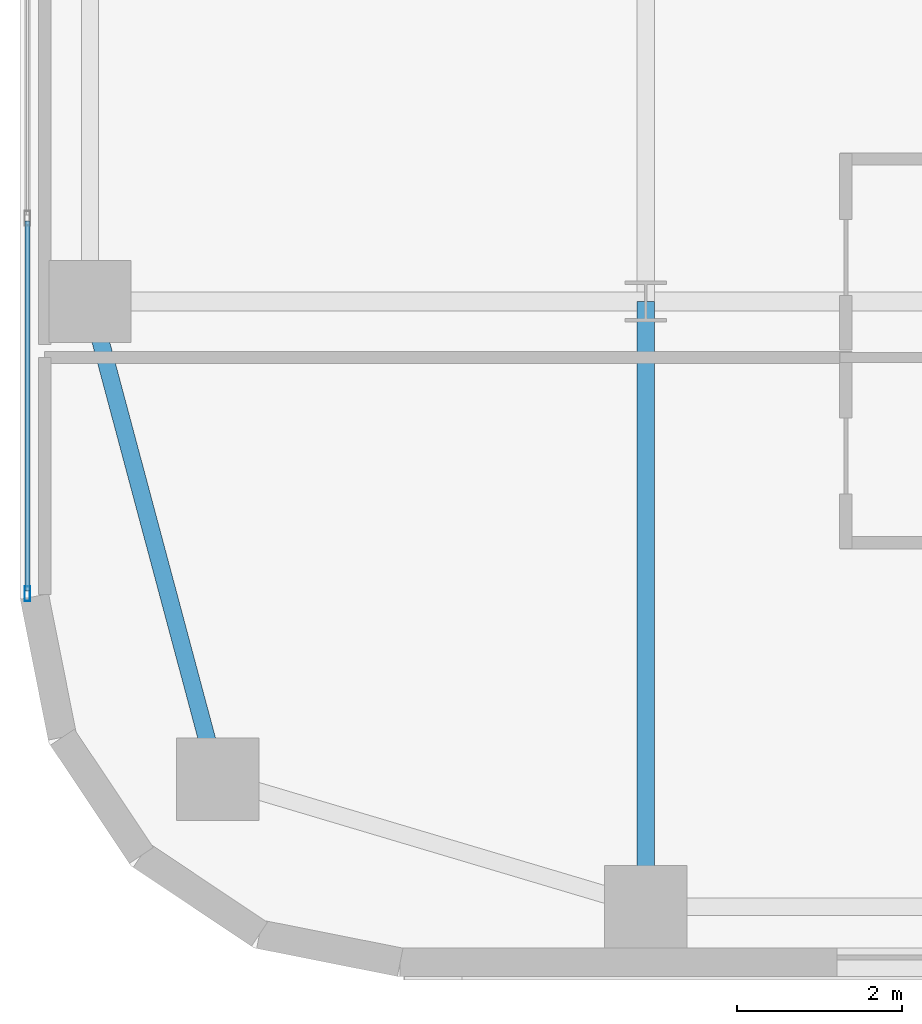
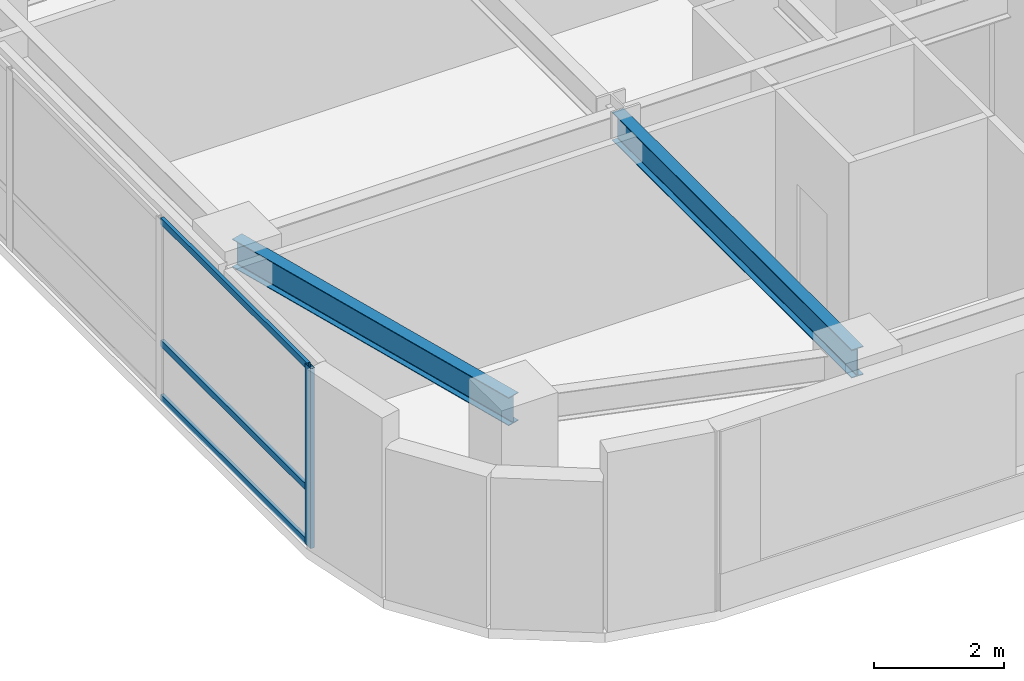
# One storey, part 2 of 37: 4 members, 2 beams, 1 element without a shape of its own.
"""IFC4 building model written with IfcOpenShell, lengths in metres."""

from ifc_helpers import new_model, si_unit, direction, frame, origin, origin_2d, place, context, subcontext, project, spatial, hollow_rectangle, i_section, extrude, source, transform, mapped, material, layer, layer_set, material_profile, profile_set, type_object, type_shapes, element, aggregate, save


model = new_model("IFC4")

# Units and contexts
model_context = context("Model", 3, precision=1e-05, world=origin(), true_north=direction((0.0, 1.0)))
body_context = subcontext(model_context, "Body", "Model", "MODEL_VIEW")
ifc_project = project(units=[si_unit("LENGTHUNIT", "METRE"), si_unit("AREAUNIT", "SQUARE_METRE"), si_unit("VOLUMEUNIT", "CUBIC_METRE"), si_unit("PLANEANGLEUNIT", "RADIAN"), si_unit("MASSUNIT", "GRAM", prefix="KILO")], contexts=[model_context])

# Site, building, storey
site_placement = place(None, origin())
site = spatial("IfcSite", under=ifc_project, at=site_placement, CompositionType="ELEMENT")
building_placement = place(site_placement, origin())
building = spatial("IfcBuilding", under=site, at=building_placement, Name="Tolvann Quenvar Hotel", CompositionType="ELEMENT")
storey_placement = place(building_placement, frame((0.0, 0.0, 53.300048828125)))
storey = spatial("IfcBuildingStorey", under=building, at=storey_placement, Name="L12", CompositionType="ELEMENT", Elevation=53.300048828125)

# Beams
ifc_material_1 = material(Name="Steel Grade 350", Category="steel")
ifc_material_profile_1 = material_profile(ifc_material_1, i_section(OverallWidth=0.208984375, OverallDepth=0.528076171875, WebThickness=0.009521484375, FlangeThickness=0.01318359375, FilletRadius=0.013916015625, at=origin_2d()), Name="530UB82")
ifc_profile_set_1 = profile_set([ifc_material_profile_1], Name="Steel Grade 350")
beam_type_1 = type_object("IfcBeamType", Name="BM_SPAND_530UB82", PredefinedType="SPANDREL", material=ifc_profile_set_1)
shared_shape_1 = source(origin(), body_context, "Body", "SweptSolid", [
    extrude(i_section(OverallWidth=0.208984375, OverallDepth=0.528076171875, WebThickness=0.009521484375, FlangeThickness=0.01318359375, FilletRadius=0.013916015625, at=origin_2d()), origin(), (0.0, 0.0, 1.0), 6.00341796875),
])
type_shapes(beam_type_1, [shared_shape_1])
beam_1_placement = place(storey_placement, frame((2.39990234375, 2.39990234375, 3.10595703125), z_axis=(-0.258148586649, 0.966105225745, 0.0), x_axis=(-0.966105225745, -0.258148586649, 0.0)))
element("IfcBeam", 1, at=beam_1_placement, inside=storey, type_object=beam_type_1, Name="BM-L12-NS-B2-B3", PredefinedType="SPANDREL", context=body_context, shape_type="MappedRepresentation", body=[
    mapped(shared_shape_1, transform((0.0, 0.0, 0.0), x_axis=(1.0, 0.0, 0.0), y_axis=(0.0, 1.0, 0.0), z_axis=(0.0, 0.0, 1.0), scale=1.0)),
])
ifc_material_profile_2 = material_profile(ifc_material_1, i_section(OverallWidth=0.208984375, OverallDepth=0.532958984375, WebThickness=0.01025390625, FlangeThickness=0.015625, FilletRadius=0.013916015625, at=origin_2d()), Name="530UB92")
ifc_profile_set_2 = profile_set([ifc_material_profile_2], Name="Steel Grade 350")
beam_type_2 = type_object("IfcBeamType", Name="BM_GIRD_530UB92", PredefinedType="BEAM", material=ifc_profile_set_2)
shared_shape_2 = source(origin(), body_context, "Body", "SweptSolid", [
    extrude(i_section(OverallWidth=0.208984375, OverallDepth=0.532958984375, WebThickness=0.01025390625, FlangeThickness=0.015625, FilletRadius=0.013916015625, at=origin_2d()), origin(), (0.0, 0.0, 1.0), 7.349853515625),
])
type_shapes(beam_type_2, [shared_shape_2])
beam_2_placement = place(storey_placement, frame((7.60009765625, 0.85009765625, 3.103515625), z_axis=(0.0, 1.0, 0.0), x_axis=(-1.0, 0.0, 0.0)))
element("IfcBeam", 2, at=beam_2_placement, inside=storey, type_object=beam_type_2, Name="BM-L12-NS-C2-C3", PredefinedType="BEAM", context=body_context, shape_type="MappedRepresentation", body=[
    mapped(shared_shape_2, transform((0.0, 0.0, 0.0), x_axis=(1.0, 0.0, 0.0), y_axis=(0.0, 1.0, 0.0), z_axis=(0.0, 0.0, 1.0), scale=1.0)),
])

# Curtain wall, members
ifc_material_2 = material(Name="Thermally broken anodised architectural aluminium 6063-T6 and laminated low-E glass", Category="aluminium")
ifc_layer = layer(ifc_material_2, 0.179931640625)
ifc_layer_set = layer_set([ifc_layer], Name="Thermally broken anodised architectural aluminium 6063-T6 and laminated low-E glass")
curtain_wall_type = type_object("IfcCurtainWallType", Name="CW_SYS_BAND_04", PredefinedType="USERDEFINED", material=ifc_layer_set)
curtain_wall_placement = place(storey_placement, origin())
curtain_wall = element("IfcCurtainWall", 3, at=curtain_wall_placement, inside=storey, type_object=curtain_wall_type, Name="Curtain Wall CW-BAND-04 (CWR-L12-E23)", ObjectType="UNITISED CURTAIN WALL", PredefinedType="USERDEFINED")
ifc_material_3 = material(Name="Anodised architectural aluminium 6063-T6 framing", Category="aluminium")
ifc_material_profile_3 = material_profile(ifc_material_3, hollow_rectangle(XDim=0.070068359375, YDim=0.179931640625, WallThickness=0.00390625, at=origin_2d()), Name="180x70x4RHS")
ifc_profile_set_3 = profile_set([ifc_material_profile_3], Name="Anodised architectural aluminium 6063-T6 framing")
member_type_1 = type_object("IfcMemberType", Name="CW_MULL_180x70", PredefinedType="MULLION", material=ifc_profile_set_3)
shared_shape_3 = source(origin(), body_context, "Body", "SweptSolid", [
    extrude(hollow_rectangle(XDim=0.070068359375, YDim=0.179931640625, WallThickness=0.00390625, at=origin_2d()), origin(), (0.0, 0.0, 1.0), 3.369873046875),
])
type_shapes(member_type_1, [shared_shape_3])
member_1_placement = place(storey_placement, frame((0.090087890625, 4.652099609375, 0.0), z_axis=(0.0, 0.0, 1.0), x_axis=(1.0, 0.0, 0.0)))
member_1 = element("IfcMember", 4, at=member_1_placement, type_object=member_type_1, Name="CW-BAND-04 mullion 9", PredefinedType="MULLION", context=body_context, shape_type="MappedRepresentation", body=[
    mapped(shared_shape_3, transform((0.0, 0.0, 0.0), x_axis=(1.0, 0.0, 0.0), y_axis=(0.0, 1.0, 0.0), z_axis=(0.0, 0.0, 1.0), scale=1.0)),
])
ifc_material_profile_4 = material_profile(ifc_material_3, hollow_rectangle(XDim=0.06005859375, YDim=0.1201171875, WallThickness=0.00341796875, at=origin_2d()), Name="120x60x3.5RHS")
ifc_profile_set_4 = profile_set([ifc_material_profile_4], Name="Anodised architectural aluminium 6063-T6 framing")
member_type_2 = type_object("IfcMemberType", Name="CW_TRAN_120x60", PredefinedType="USERDEFINED", material=ifc_profile_set_4)
shared_shape_4 = source(origin(), body_context, "Body", "SweptSolid", [
    extrude(hollow_rectangle(XDim=0.06005859375, YDim=0.1201171875, WallThickness=0.00341796875, at=origin_2d()), origin(), (0.0, 0.0, 1.0), 4.49072265625),
])
type_shapes(member_type_2, [shared_shape_4])
member_2_placement = place(storey_placement, frame((0.090087890625, 9.177978515625, 0.030029296875), z_axis=(0.0, -1.0, 0.0), x_axis=(1.0, 0.0, 0.0)))
member_2 = element("IfcMember", 5, at=member_2_placement, type_object=member_type_2, Name="CW-BAND-04 transom 8.1", ObjectType="TRANSOM", PredefinedType="USERDEFINED", context=body_context, shape_type="MappedRepresentation", body=[
    mapped(shared_shape_4, transform((0.0, 0.0, 0.0), x_axis=(1.0, 0.0, 0.0), y_axis=(0.0, 1.0, 0.0), z_axis=(0.0, 0.0, 1.0), scale=1.0)),
])
member_3_placement = place(storey_placement, frame((0.090087890625, 9.177978515625, 1.050048828125), z_axis=(0.0, -1.0, 0.0), x_axis=(1.0, 0.0, 0.0)))
member_3 = element("IfcMember", 6, at=member_3_placement, type_object=member_type_2, Name="CW-BAND-04 transom 8.2", ObjectType="TRANSOM", PredefinedType="USERDEFINED", context=body_context, shape_type="MappedRepresentation", body=[
    mapped(shared_shape_4, transform((0.0, 0.0, 0.0), x_axis=(1.0, 0.0, 0.0), y_axis=(0.0, 1.0, 0.0), z_axis=(0.0, 0.0, 1.0), scale=1.0)),
])
member_4_placement = place(storey_placement, frame((0.090087890625, 9.177978515625, 3.33984375), z_axis=(0.0, -1.0, 0.0), x_axis=(1.0, 0.0, 0.0)))
member_4 = element("IfcMember", 7, at=member_4_placement, type_object=member_type_2, Name="CW-BAND-04 transom 8.3", ObjectType="TRANSOM", PredefinedType="USERDEFINED", context=body_context, shape_type="MappedRepresentation", body=[
    mapped(shared_shape_4, transform((0.0, 0.0, 0.0), x_axis=(1.0, 0.0, 0.0), y_axis=(0.0, 1.0, 0.0), z_axis=(0.0, 0.0, 1.0), scale=1.0)),
])
aggregate(curtain_wall, [member_1, member_2, member_3, member_4])

save(model, "model.ifc")
